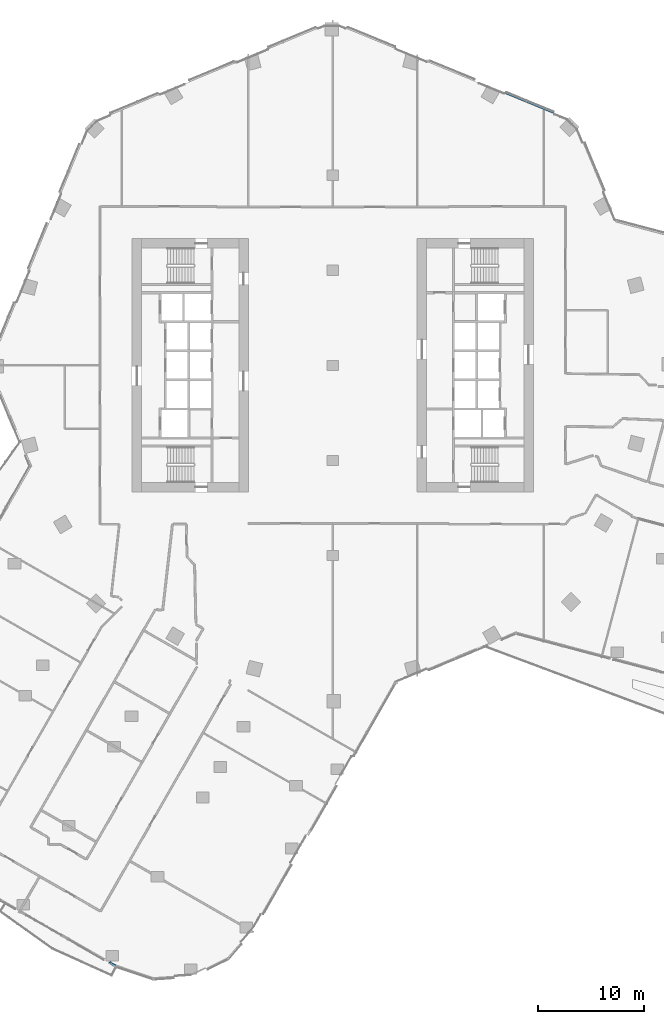
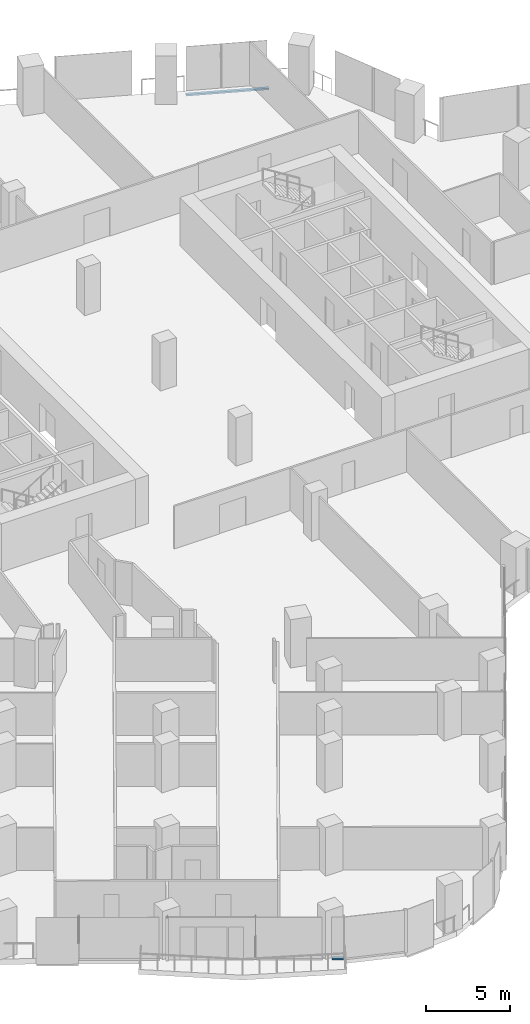
# One storey, part 13 of 34: 2 members, 2 elements without a shape of their own.
"""IFC4 building model written with IfcOpenShell, lengths in metres."""

from ifc_helpers import new_model, si_unit, direction, frame, origin, origin_2d, place, context, subcontext, project, spatial, rectangle, extrude, material, material_profile, profile_set, type_object, element, aggregate, save


model = new_model("IFC4")

# Units and contexts
model_context = context("Model", 3, precision=1e-05, world=origin(), true_north=direction((0.0, 1.0)))
body_context = subcontext(model_context, "Body", "Model", "MODEL_VIEW")
ifc_project = project(units=[si_unit("LENGTHUNIT", "METRE"), si_unit("AREAUNIT", "SQUARE_METRE"), si_unit("VOLUMEUNIT", "CUBIC_METRE"), si_unit("PLANEANGLEUNIT", "RADIAN"), si_unit("MASSUNIT", "GRAM", prefix="KILO")], contexts=[model_context])

# Site, building, storey
site_placement = place(None, origin())
site = spatial("IfcSite", under=ifc_project, at=site_placement, CompositionType="ELEMENT")
building_placement = place(site_placement, origin())
building = spatial("IfcBuilding", under=site, at=building_placement, Name="Orlundy Tower", CompositionType="ELEMENT")
storey_placement = place(building_placement, frame((0.0, 0.0, 102.199951171875)))
storey = spatial("IfcBuildingStorey", under=building, at=storey_placement, Name="L25", CompositionType="ELEMENT", Elevation=102.199951171875)

# Curtain wall, member
ifc_material_1 = material(Name="Aluminium bronze anodised", Category="aluminium")
curtain_wall_type = type_object("IfcCurtainWallType", Name="CW1 wall", PredefinedType="NOTDEFINED", material=ifc_material_1)
curtain_wall_1_placement = place(storey_placement, origin())
curtain_wall_1 = element("IfcCurtainWall", 1, at=curtain_wall_1_placement, inside=storey, type_object=curtain_wall_type, Name="CW1 run 07", PredefinedType="NOTDEFINED")
ifc_material_2 = material(Name="Aluminium bronze anodised", Category="aluminium")
ifc_material_profile = material_profile(ifc_material_2, rectangle(XDim=0.179931640625, YDim=0.1201171875, at=origin_2d()), Name="CW1 transom 180x120")
ifc_profile_set = profile_set([ifc_material_profile], Name="Aluminium bronze anodised")
member_type = type_object("IfcMemberType", Name="CW1 transom 180x120", PredefinedType="USERDEFINED", material=ifc_profile_set)
member_1_placement = place(storey_placement, frame((-20.5498046875, -56.907958984375, 0.06005859375), z_axis=(-0.867534563836, 0.497376899896, 0.0), x_axis=(-0.497376899896, -0.867534563836, 0.0)))
member_1 = element("IfcMember", 2, at=member_1_placement, type_object=member_type, Name="CW1 transom", ObjectType="TRANSOM", PredefinedType="USERDEFINED", context=body_context, shape_type="SweptSolid", body=[
    extrude(rectangle(XDim=0.179931640625, YDim=0.1201171875, at=origin_2d()), origin(), (0.0, 0.0, 1.0), 0.679443359375),
])
aggregate(curtain_wall_1, [member_1])

curtain_wall_2_placement = place(storey_placement, origin())
curtain_wall_2 = element("IfcCurtainWall", 3, at=curtain_wall_2_placement, inside=storey, type_object=curtain_wall_type, Name="CW1 run 016", PredefinedType="NOTDEFINED")
member_2_placement = place(storey_placement, frame((16.378662109375, 25.802001953125, -0.33984375), z_axis=(0.924980308229, -0.380015038371, 0.0), x_axis=(0.380015038371, 0.924980308229, 0.0)))
member_2 = element("IfcMember", 4, at=member_2_placement, type_object=member_type, Name="CW1 transom", ObjectType="TRANSOM", PredefinedType="USERDEFINED", context=body_context, shape_type="SweptSolid", body=[
    extrude(rectangle(XDim=0.179931640625, YDim=0.1201171875, at=origin_2d()), origin(), (0.0, 0.0, 1.0), 4.964111328125),
])
aggregate(curtain_wall_2, [member_2])

save(model, "model.ifc")
